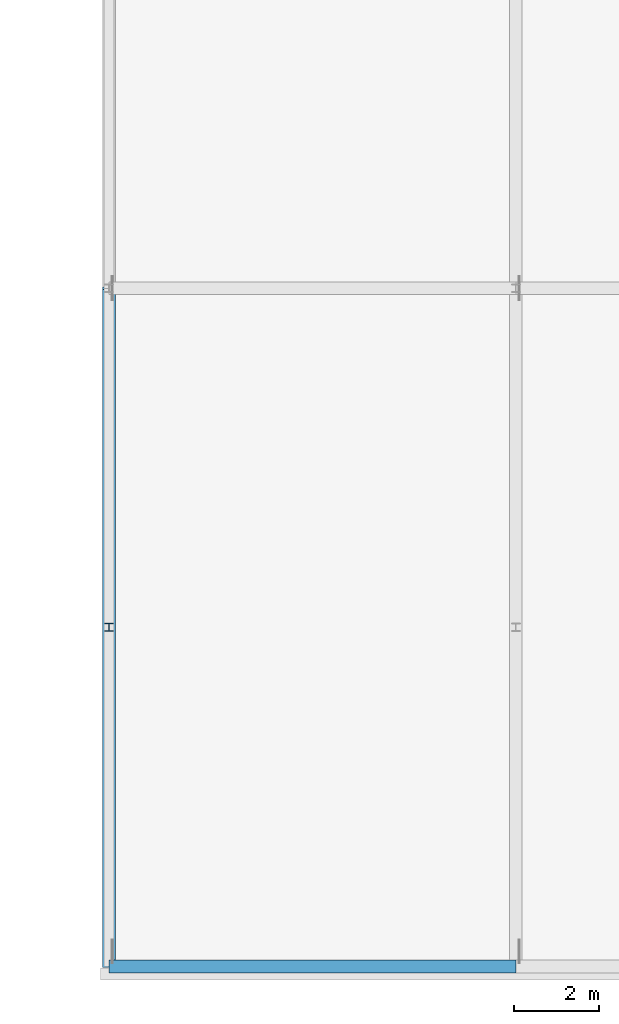
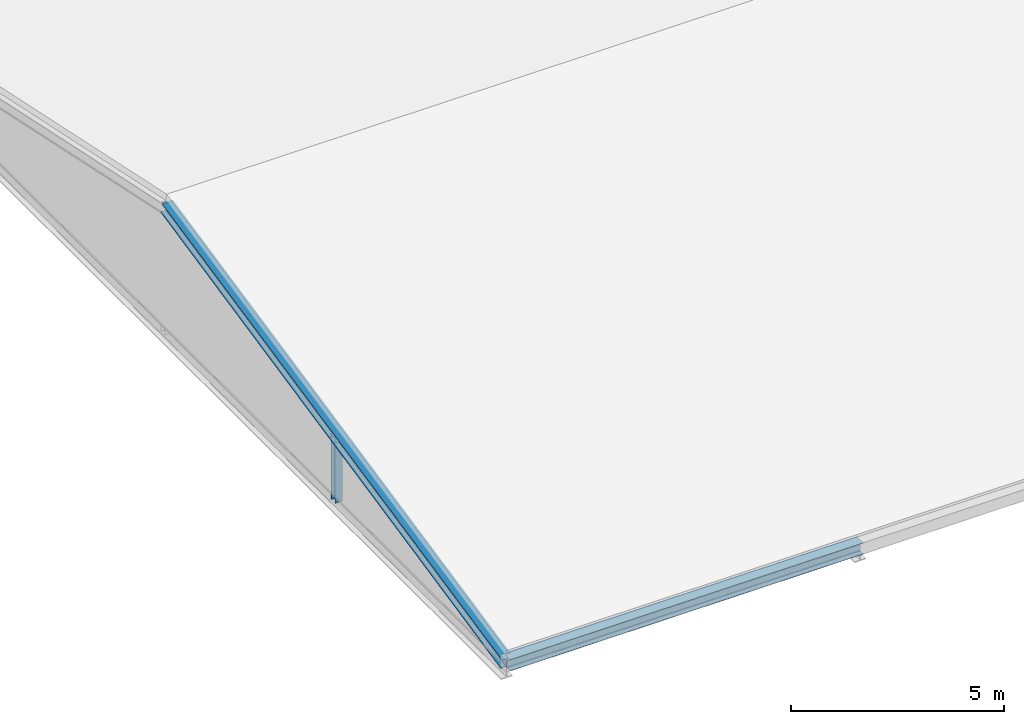
# One storey, part 24 of 85: 2 members, 1 beam.
"""IFC4 building model written with IfcOpenShell, lengths in metres."""

import ifcopenshell
import ifcopenshell.guid

model = None  # the IFC model being written
_history = None  # IfcOwnerHistory: only IFC2X3 demands one
_inside = {}  # id of a spatial element -> (the spatial element, [elements in it])
_under = {}  # id of a project, library or spatial element -> (it, [spatial elements below it])
_declared = {}  # id of a project -> (the project, [libraries it declares])
_typed = {}  # id of a type object -> (the type object, [elements of that type])
_made_of = {}  # id of a material, layer set ... -> (it, [elements and type objects made of it])


def new_model(schema):
    """Start an empty IFC model of exactly this schema.

    Asked for "IFC4X3", IfcOpenShell would pick the latest addendum, in which some entities
    have other attributes; the version numbers below select the first issue.
    IFC2X3 requires an IfcOwnerHistory on every rooted entity: one is made here for all.
    """
    global model, _history
    if schema == "IFC4X3":
        model = ifcopenshell.file(schema_version=(4, 3, 0, 0))
    else:
        model = ifcopenshell.file(schema=schema)
    _inside.clear()
    _under.clear()
    _declared.clear()
    _typed.clear()
    _made_of.clear()
    _history = None
    if model.schema == "IFC2X3":
        org = make("IfcOrganization", Name="unknown")
        user = make(
            "IfcPersonAndOrganization",
            ThePerson=make("IfcPerson", FamilyName="unknown"),
            TheOrganization=org,
        )
        app = make(
            "IfcApplication",
            ApplicationDeveloper=org,
            Version="unknown",
            ApplicationFullName="unknown",
            ApplicationIdentifier="unknown",
        )
        _history = make(
            "IfcOwnerHistory",
            OwningUser=user,
            OwningApplication=app,
            ChangeAction="ADDED",
            CreationDate=0,
        )
    return model


def make(cls, **values):
    """One entity of the class cls with the attributes given. An attribute that is None is left unset."""
    return model.create_entity(
        cls, **{name: value for name, value in values.items() if value is not None}
    )


def rooted(cls, **values):
    """An entity with a GlobalId (a new one), such as an element, a storey or a relation."""
    return make(cls, GlobalId=ifcopenshell.guid.new(), OwnerHistory=_history, **values)


def si_unit(unit_type, name, prefix=None):
    """IfcSIUnit, for example si_unit("LENGTHUNIT", "METRE", prefix="MILLI")."""
    return make("IfcSIUnit", UnitType=unit_type, Prefix=prefix, Name=name)


def assignment(units):
    """IfcUnitAssignment: the units of a project."""
    return None if units is None else make("IfcUnitAssignment", Units=units)


def point(xyz):
    """IfcCartesianPoint."""
    return None if xyz is None else make("IfcCartesianPoint", Coordinates=xyz)


def direction(xyz):
    """IfcDirection."""
    return None if xyz is None else make("IfcDirection", DirectionRatios=xyz)


def frame(location, z_axis=None, x_axis=None):
    """IfcAxis2Placement3D, a coordinate frame: its origin and axes. An axis left out is left unset."""
    return make(
        "IfcAxis2Placement3D",
        Location=point(location),
        Axis=direction(z_axis),
        RefDirection=direction(x_axis),
    )


def frame_2d(location, x_axis=None):
    """IfcAxis2Placement2D, a coordinate frame in the plane: its origin and x axis."""
    return make(
        "IfcAxis2Placement2D", Location=point(location), RefDirection=direction(x_axis)
    )


def origin():
    """The frame at (0, 0, 0) with its axes left unset."""
    return frame((0.0, 0.0, 0.0))


def origin_2d():
    """The frame at (0, 0) in the plane with its x axis left unset."""
    return frame_2d((0.0, 0.0))


def place(relative_to, where):
    """IfcLocalPlacement: puts the frame where relative to a parent placement (None: the world)."""
    return make(
        "IfcLocalPlacement", PlacementRelTo=relative_to, RelativePlacement=where
    )


def context(
    kind, dimensions, precision=None, world=None, true_north=None, identifier=None
):
    """IfcGeometricRepresentationContext, for example the 3D "Model" context."""
    return make(
        "IfcGeometricRepresentationContext",
        ContextIdentifier=identifier,
        ContextType=kind,
        CoordinateSpaceDimension=dimensions,
        Precision=precision,
        WorldCoordinateSystem=world,
        TrueNorth=true_north,
    )


def subcontext(parent, identifier, kind, view, scale=None):
    """IfcGeometricRepresentationSubContext, for example "Body" below "Model"."""
    return make(
        "IfcGeometricRepresentationSubContext",
        ContextIdentifier=identifier,
        ContextType=kind,
        ParentContext=parent,
        TargetScale=scale,
        TargetView=view,
    )


def project(units=None, contexts=None):
    """IfcProject with its units and contexts."""
    return rooted(
        "IfcProject",
        Name="project",
        RepresentationContexts=contexts,
        UnitsInContext=assignment(units),
    )


def spatial(cls, under=None, at=None, **own):
    """A site, building, storey or space (cls), placed at a placement, below another one or the project."""
    s = rooted(cls, ObjectPlacement=at, **own)
    if under is not None:
        _under.setdefault(under.id(), (under, []))[1].append(s)
    return s


def profile(cls, at=None, kind="AREA", **sizes):
    """A parametric profile (cls). Its sizes go by their IFC names, for example OverallWidth=200.0."""
    return make(cls, ProfileType=kind, Position=at, **sizes)


def i_section(**sizes):
    """IfcIShapeProfileDef."""
    return profile("IfcIShapeProfileDef", **sizes)


def extrude(swept, where, along, depth):
    """IfcExtrudedAreaSolid: the profile swept, set in the frame where, extruded along a direction by depth."""
    return make(
        "IfcExtrudedAreaSolid",
        SweptArea=swept,
        Position=where,
        ExtrudedDirection=direction(along),
        Depth=depth,
    )


def shape(context_of_items, identifier, shape_type, items):
    """IfcShapeRepresentation: the items that make up one representation, for example the "Body"."""
    return make(
        "IfcShapeRepresentation",
        ContextOfItems=context_of_items,
        RepresentationIdentifier=identifier,
        RepresentationType=shape_type,
        Items=items,
    )


def material(Name=None, Category=None):
    """IfcMaterial."""
    return make("IfcMaterial", Name=Name, Category=Category)


def material_profile(
    of_material, cross_section, Name=None, Category=None, Priority=None
):
    """IfcMaterialProfile: a cross section and its material."""
    return make(
        "IfcMaterialProfile",
        Name=Name,
        Material=of_material,
        Profile=cross_section,
        Priority=Priority,
        Category=Category,
    )


def profile_set(profiles, Name=None, composite=None):
    """IfcMaterialProfileSet."""
    return make(
        "IfcMaterialProfileSet",
        Name=Name,
        MaterialProfiles=profiles,
        CompositeProfile=composite,
    )


def made_of(thing, what):
    """Note that an element or type object is made of a material, layer set ...; save() writes the relation."""
    if what is not None:
        _made_of.setdefault(what.id(), (what, []))[1].append(thing)
    return thing


def type_object(cls, material=None, **own):
    """A type object (cls), such as IfcWallType, which elements share."""
    return made_of(rooted(cls, **own), material)


def element(
    cls,
    number,
    at=None,
    inside=None,
    cuts=None,
    type_object=None,
    material=None,
    context=None,
    identifier="Body",
    shape_type=None,
    held_by="IfcProductDefinitionShape",
    body=None,
    shapes=None,
    **own,
):
    """One element of the class cls, such as IfcWall. Its Tag is "e" and its number.

    at: its placement. inside: the storey or other place that contains it. cuts: it is an
    opening in that element (IfcRelVoidsElement). A single representation is given by context,
    identifier, shape_type and body (its items); several are given by shapes. held_by: the class
    of the entity that holds the representations. save() writes the other relations.
    """
    e = rooted(cls, Tag="e%d" % number, ObjectPlacement=at, **own)
    if body is not None:
        shapes = [shape(context, identifier, shape_type, body)]
    if shapes is not None:
        e.Representation = make(held_by, Representations=shapes)
    if inside is not None:
        _inside.setdefault(inside.id(), (inside, []))[1].append(e)
    if cuts is not None:
        rooted(
            "IfcRelVoidsElement", RelatingBuildingElement=cuts, RelatedOpeningElement=e
        )
    if type_object is not None:
        _typed.setdefault(type_object.id(), (type_object, []))[1].append(e)
    return made_of(e, material)


def aggregate(whole, parts):
    """IfcRelAggregates: a whole, such as a stair, and the parts it consists of."""
    return rooted("IfcRelAggregates", RelatingObject=whole, RelatedObjects=parts)


def save(model, path):
    """Write the relations noted so far, then the file.

    IfcRelAggregates (storeys below a building ...), IfcRelContainedInSpatialStructure (elements
    in a storey), IfcRelDefinesByType, IfcRelAssociatesMaterial and IfcRelDeclares: one each for
    every whole, place, type object, material and project.
    """
    for whole, parts in _under.values():
        aggregate(whole, parts)
    for where, things in _inside.values():
        rooted(
            "IfcRelContainedInSpatialStructure",
            RelatedElements=things,
            RelatingStructure=where,
        )
    for kind, things in _typed.values():
        rooted("IfcRelDefinesByType", RelatedObjects=things, RelatingType=kind)
    for what, things in _made_of.values():
        rooted("IfcRelAssociatesMaterial", RelatedObjects=things, RelatingMaterial=what)
    for by, libraries in _declared.values():
        rooted("IfcRelDeclares", RelatingContext=by, RelatedDefinitions=libraries)
    model.write(path)


model = new_model("IFC4")

# Units and contexts
model_context = context("Model", 3, precision=1e-05, world=origin(), true_north=direction((0.0, 1.0)))
body_context = subcontext(model_context, "Body", "Model", "MODEL_VIEW")
ifc_project = project(units=[si_unit("LENGTHUNIT", "METRE"), si_unit("AREAUNIT", "SQUARE_METRE"), si_unit("VOLUMEUNIT", "CUBIC_METRE"), si_unit("PLANEANGLEUNIT", "RADIAN"), si_unit("MASSUNIT", "GRAM", prefix="KILO")], contexts=[model_context])

# Site, building, storey
site_placement = place(None, origin())
site = spatial("IfcSite", under=ifc_project, at=site_placement, CompositionType="ELEMENT")
building_placement = place(site_placement, origin())
building = spatial("IfcBuilding", under=site, at=building_placement, Name="Alderhovde Museum", CompositionType="ELEMENT")
storey_placement = place(building_placement, frame((0.0, 0.0, 8.699951171875)))
storey = spatial("IfcBuildingStorey", under=building, at=storey_placement, Name="L02", CompositionType="ELEMENT", Elevation=8.699951171875)

# Beam
ifc_material_1 = material(Name="Steel S355J2", Category="steel")
ifc_material_profile_1 = material_profile(ifc_material_1, i_section(OverallWidth=0.300048828125, OverallDepth=0.330078125, WebThickness=0.009521484375, FlangeThickness=0.0166015625, FilletRadius=0.027099609375, at=origin_2d()), Name="HEA 340")
ifc_profile_set_1 = profile_set([ifc_material_profile_1], Name="Steel S355J2")
beam_type = type_object("IfcBeamType", Name="BM-HEA340", PredefinedType="BEAM", material=ifc_profile_set_1)
beam_placement = place(storey_placement, frame((67.199951171875, 0.0, -0.300048828125), z_axis=(1.0, 0.0, 0.0), x_axis=(0.0, 1.0, 0.0)))
element("IfcBeam", 1, at=beam_placement, inside=storey, type_object=beam_type, Name="Auditorium Roof Purlin Beam Y=0", PredefinedType="BEAM", context=body_context, shape_type="SweptSolid", body=[
    extrude(i_section(OverallWidth=0.300048828125, OverallDepth=0.330078125, WebThickness=0.009521484375, FlangeThickness=0.0166015625, FilletRadius=0.027099609375, at=origin_2d()), origin(), (0.0, 0.0, 1.0), 9.60009765625),
])

# Members
ifc_material_2 = material(Name="Steel S355J2", Category="steel")
ifc_material_profile_2 = material_profile(ifc_material_2, i_section(OverallWidth=0.300048828125, OverallDepth=0.2900390625, WebThickness=0.008544921875, FlangeThickness=0.013916015625, FilletRadius=0.027099609375, at=origin_2d()), Name="HEA 300")
ifc_profile_set_2 = profile_set([ifc_material_profile_2], Name="Steel S355J2")
member_type_1 = type_object("IfcMemberType", Name="TR-CH-HEA300", PredefinedType="CHORD", material=ifc_profile_set_2)
member_1_placement = place(storey_placement, frame((67.199951171875, 0.0, -0.300048828125), z_axis=(0.0, 0.9781570301, 0.207867324191), x_axis=(-1.0, 0.0, 0.0)))
element("IfcMember", 2, at=member_1_placement, inside=storey, type_object=member_type_1, Name="Auditorium Roof Truss X=67.2 South Rafter", PredefinedType="CHORD", context=body_context, shape_type="SweptSolid", body=[
    extrude(i_section(OverallWidth=0.300048828125, OverallDepth=0.2900390625, WebThickness=0.008544921875, FlangeThickness=0.013916015625, FilletRadius=0.027099609375, at=origin_2d()), origin(), (0.0, 0.0, 1.0), 16.357177734375),
])
ifc_material_3 = material(Name="Steel S355J2", Category="steel")
ifc_material_profile_3 = material_profile(ifc_material_3, i_section(OverallWidth=0.199951171875, OverallDepth=0.18994140625, WebThickness=0.006591796875, FlangeThickness=0.010009765625, FilletRadius=0.01806640625, at=origin_2d()), Name="HEA 200")
ifc_profile_set_3 = profile_set([ifc_material_profile_3], Name="Steel S355J2")
member_type_2 = type_object("IfcMemberType", Name="TR-PS-HEA200", PredefinedType="POST", material=ifc_profile_set_3)
member_2_placement = place(storey_placement, frame((67.199951171875, 8.0, -0.5), z_axis=(0.0, 0.0, 1.0), x_axis=(1.0, 0.0, 0.0)))
element("IfcMember", 3, at=member_2_placement, inside=storey, type_object=member_type_2, Name="Auditorium Roof Truss X=67.2 Post P1", PredefinedType="POST", context=body_context, shape_type="SweptSolid", body=[
    extrude(i_section(OverallWidth=0.199951171875, OverallDepth=0.18994140625, WebThickness=0.006591796875, FlangeThickness=0.010009765625, FilletRadius=0.01806640625, at=origin_2d()), origin(), (0.0, 0.0, 1.0), 1.900146484375),
])

save(model, "model.ifc")
